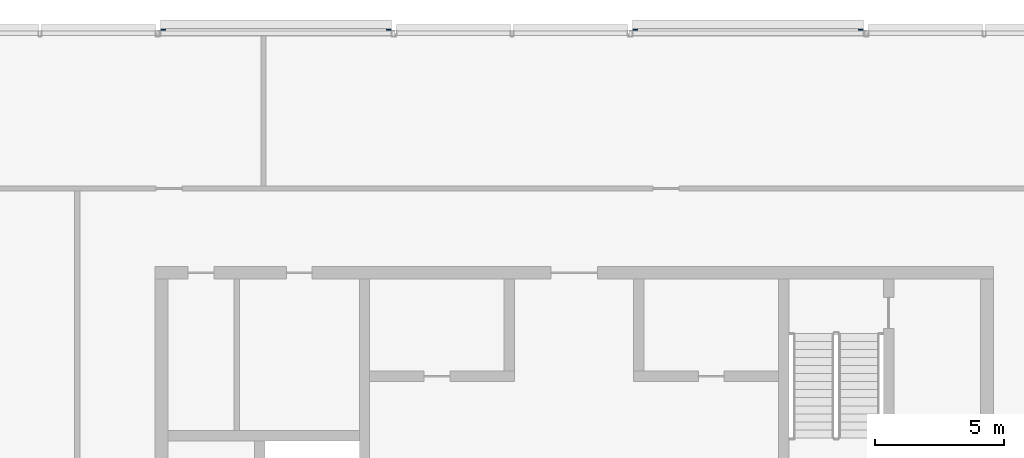
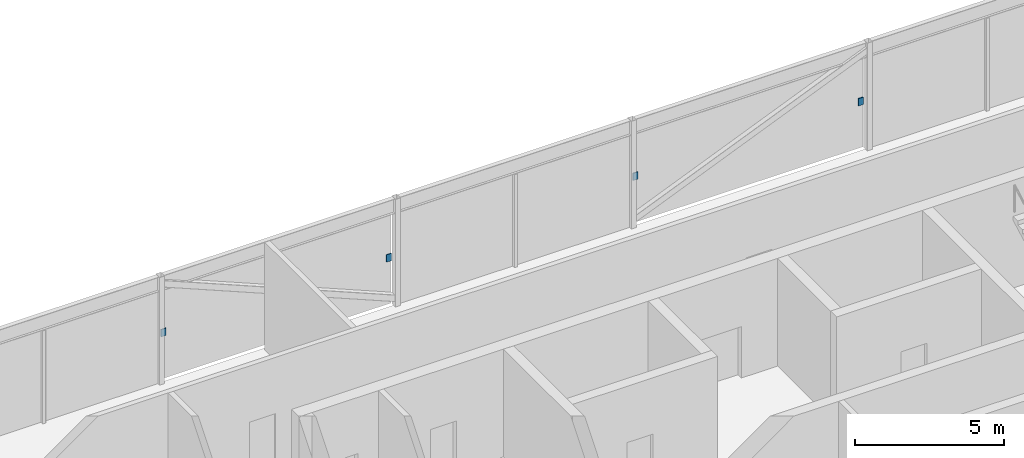
# One storey, part 22 of 27: 4 discrete accessories.
"""IFC4 building model written with IfcOpenShell, lengths in metres."""

from ifc_helpers import new_model, si_unit, direction, frame, origin, origin_2d, place, context, subcontext, project, spatial, rectangle, extrude, material, type_object, element, save


model = new_model("IFC4")

# Units and contexts
model_context = context("Model", 3, precision=1e-05, world=origin(), true_north=direction((0.0, 1.0)))
body_context = subcontext(model_context, "Body", "Model", "MODEL_VIEW")
ifc_project = project(units=[si_unit("LENGTHUNIT", "METRE"), si_unit("AREAUNIT", "SQUARE_METRE"), si_unit("VOLUMEUNIT", "CUBIC_METRE"), si_unit("PLANEANGLEUNIT", "RADIAN"), si_unit("MASSUNIT", "GRAM", prefix="KILO")], contexts=[model_context])

# Site, building, storey
site_placement = place(None, origin())
site = spatial("IfcSite", under=ifc_project, at=site_placement, CompositionType="ELEMENT")
building_placement = place(site_placement, origin())
building = spatial("IfcBuilding", under=site, at=building_placement, Name="Madar Terraces", CompositionType="ELEMENT")
storey_placement = place(building_placement, frame((0.0, 0.0, 301.10009765625)))
storey = spatial("IfcBuildingStorey", under=building, at=storey_placement, Name="L78", CompositionType="ELEMENT", Elevation=301.10009765625)

# Discrete accessories
ifc_material = material(Name="Steel, galvanised", Category="steel")
discrete_accessory_type = type_object("IfcDiscreteAccessoryType", Name="Louvre bank bracket", PredefinedType="BRACKET", material=ifc_material)
for number, where, z_axis, x_axis, name in (
    (1, (42.2783203125, 46.94189453125, 1.7490234375), (0.0, 0.0, 1.0), (-1.0, 0.0, 0.0), "Louvre bank bracket"),
    (2, (33.5615234375, 46.94189453125, 1.7490234375), (0.0, 0.0, 1.0), (-1.0, 0.0, 0.0), "Louvre bank bracket"),
    (3, (24.038330078125, 46.94189453125, 1.7490234375), (0.0, 0.0, 1.0), (-1.0, 0.0, 0.0), "Louvre bank bracket"),
    (4, (15.321533203125, 46.94189453125, 1.7490234375), (0.0, 0.0, 1.0), (-1.0, 0.0, 0.0), "Louvre bank bracket"),
):
    element("IfcDiscreteAccessory", number, at=place(storey_placement, frame(where, z_axis=z_axis, x_axis=x_axis)), inside=storey, type_object=discrete_accessory_type, Name=name, PredefinedType="BRACKET", context=body_context, shape_type="SweptSolid", body=[
        extrude(rectangle(XDim=0.199951171875, YDim=0.030029296875, at=origin_2d()), origin(), (0.0, 0.0, 1.0), 0.300048828125),
    ])

save(model, "model.ifc")
